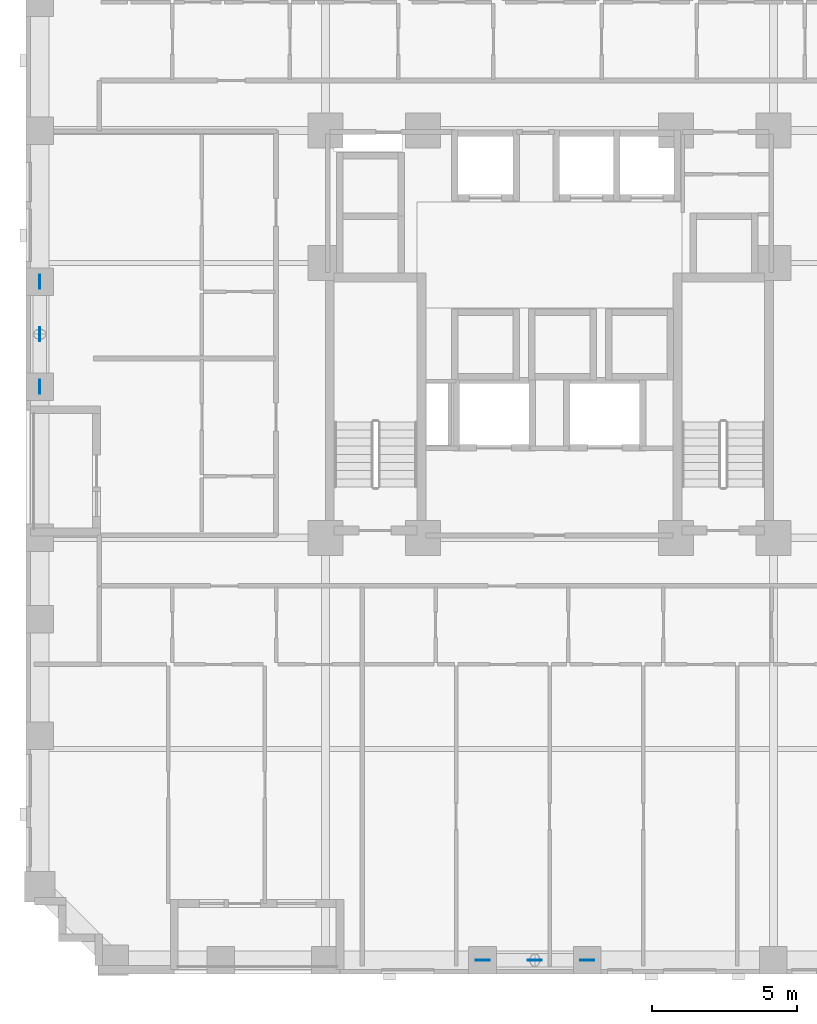
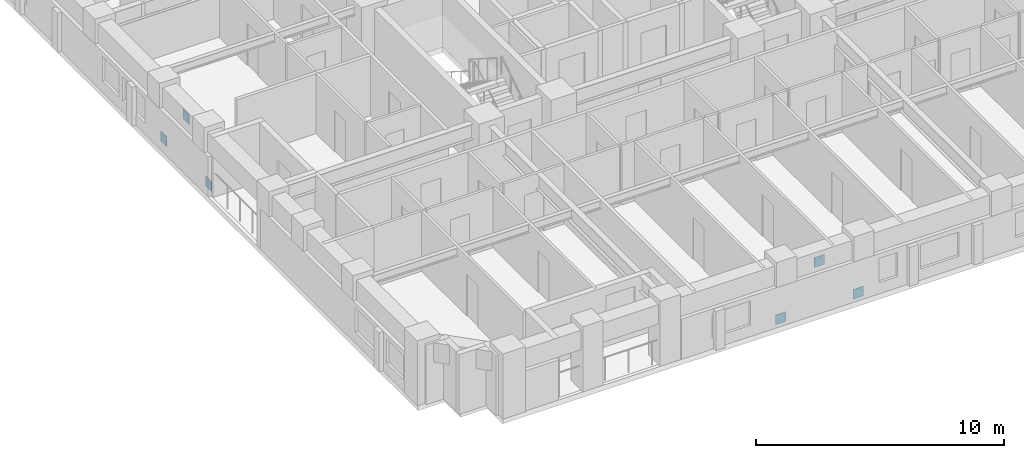
# One storey, part 10 of 14: 6 discrete accessories.
"""IFC4 building model written with IfcOpenShell, lengths in metres."""

from ifc_helpers import new_model, si_unit, derived_unit, direction, frame, origin, origin_2d, place, context, subcontext, project, spatial, rectangle, extrude, material, layer, layer_set, type_object, element, save


model = new_model("IFC4")

# Units and contexts
model_context = context("Model", 3, precision=1e-05, world=origin(), true_north=direction((0.0, 1.0)))
body_context = subcontext(model_context, "Body", "Model", "MODEL_VIEW")
ifc_project = project(units=[si_unit("LENGTHUNIT", "METRE"), si_unit("AREAUNIT", "SQUARE_METRE"), si_unit("VOLUMEUNIT", "CUBIC_METRE"), si_unit("PLANEANGLEUNIT", "RADIAN"), si_unit("MASSUNIT", "GRAM", prefix="KILO"), derived_unit("THERMALTRANSMITTANCEUNIT", [(si_unit("MASSUNIT", "GRAM", prefix="KILO"), 1), (si_unit("TIMEUNIT", "SECOND"), -3), (si_unit("THERMODYNAMICTEMPERATUREUNIT", "KELVIN"), -1)])], contexts=[model_context])

# Site, building, storey
site_placement = place(None, origin())
site = spatial("IfcSite", under=ifc_project, at=site_placement, CompositionType="ELEMENT")
building_placement = place(site_placement, origin())
building = spatial("IfcBuilding", under=site, at=building_placement, Name="Korrvale Station Residences", CompositionType="ELEMENT")
storey_placement = place(building_placement, frame((0.0, 0.0, 41.800048828125)))
storey = spatial("IfcBuildingStorey", under=building, at=storey_placement, Name="L10", CompositionType="ELEMENT", Elevation=41.800048828125)

# Discrete accessories
ifc_material = material(Name="Steel S355", Category="steel")
ifc_layer = layer(ifc_material, 0.02490234375, Name="Steel S355")
ifc_layer_set = layer_set([ifc_layer], Name="Steel S355")
discrete_accessory_type = type_object("IfcDiscreteAccessoryType", Name="ACC-GUSSET-25", PredefinedType="BRACKET", material=ifc_layer_set)
for number, where, z_axis, x_axis, name in (
    (1, (23.199951171875, 0.47998046875, -0.219970703125), (0.0, 0.0, 1.0), (1.0, 0.0, 0.0), "L10 S Brace End Gusset Connection A"),
    (2, (26.800048828125, 0.47998046875, -0.219970703125), (0.0, 0.0, 1.0), (1.0, 0.0, 0.0), "L10 S Brace End Gusset Connection B"),
    (3, (25.0, 0.47998046875, 1.969970703125), (0.0, 0.0, 1.0), (1.0, 0.0, 0.0), "L10 S Brace End Gusset Connection M"),
    (4, (7.97998046875, 20.199951171875, -0.219970703125), (0.0, 0.0, 1.0), (0.0, 1.0, 0.0), "L10 W Brace End Gusset Connection A"),
    (5, (7.97998046875, 23.800048828125, -0.219970703125), (0.0, 0.0, 1.0), (0.0, 1.0, 0.0), "L10 W Brace End Gusset Connection B"),
    (6, (7.97998046875, 22.0, 1.969970703125), (0.0, 0.0, 1.0), (0.0, 1.0, 0.0), "L10 W Brace End Gusset Connection M"),
):
    element("IfcDiscreteAccessory", number, at=place(storey_placement, frame(where, z_axis=z_axis, x_axis=x_axis)), inside=storey, type_object=discrete_accessory_type, Name=name, PredefinedType="BRACKET", context=body_context, shape_type="SweptSolid", body=[
        extrude(rectangle(XDim=0.47998046875, YDim=0.02490234375, at=origin_2d()), origin(), (0.0, 0.0, 1.0), 0.47998046875),
    ])

save(model, "model.ifc")
